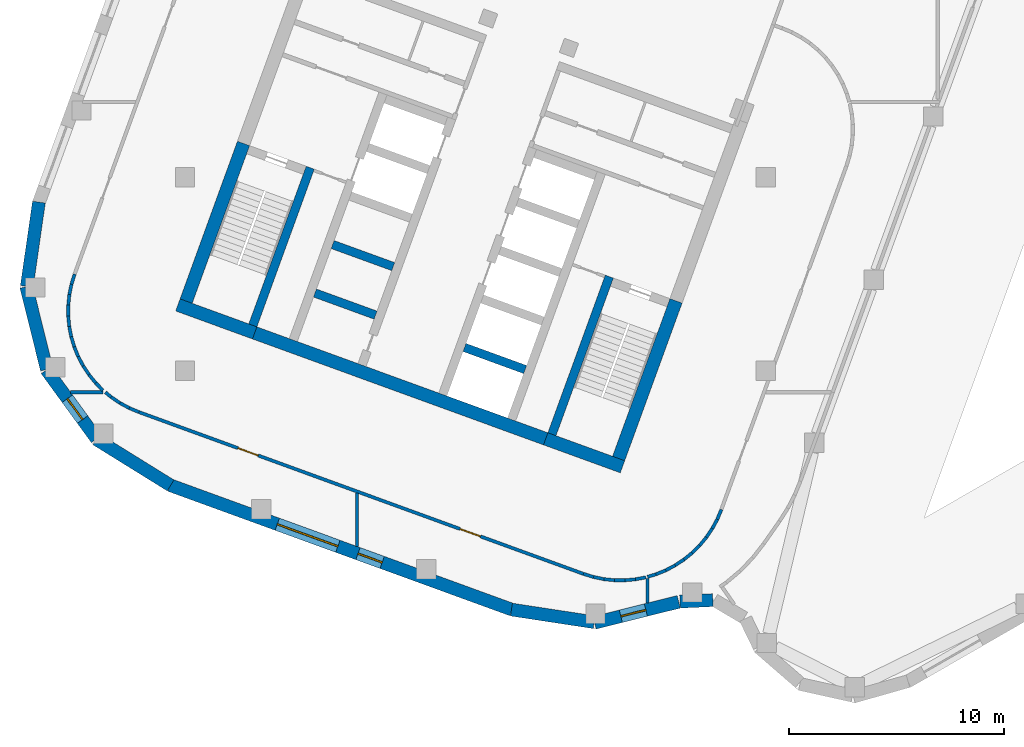
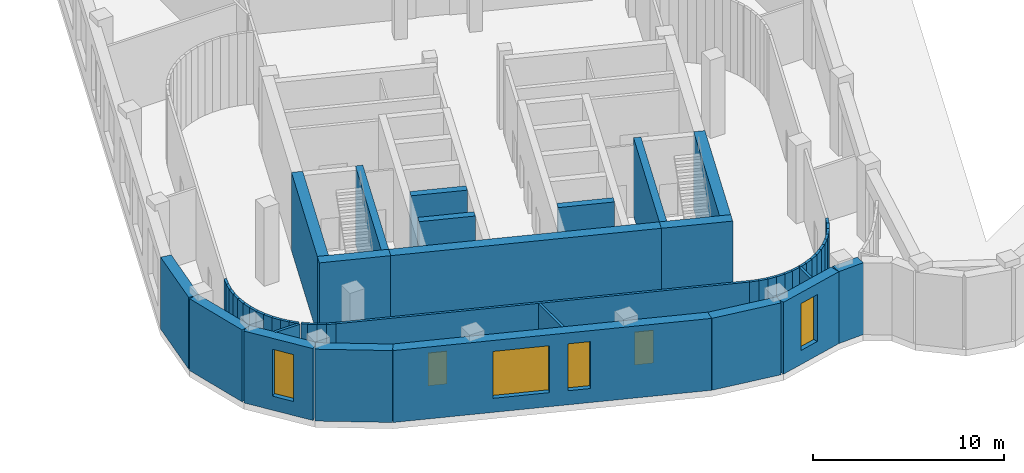
# One storey, part 3 of 20: 54 walls, 4 windows, 2 doors, 6 openings.
"""IFC4 building model written with IfcOpenShell, lengths in metres."""

import ifcopenshell
import ifcopenshell.guid

model = None  # the IFC model being written
_history = None  # IfcOwnerHistory: only IFC2X3 demands one
_inside = {}  # id of a spatial element -> (the spatial element, [elements in it])
_under = {}  # id of a project, library or spatial element -> (it, [spatial elements below it])
_declared = {}  # id of a project -> (the project, [libraries it declares])
_typed = {}  # id of a type object -> (the type object, [elements of that type])
_made_of = {}  # id of a material, layer set ... -> (it, [elements and type objects made of it])


def new_model(schema):
    """Start an empty IFC model of exactly this schema.

    Asked for "IFC4X3", IfcOpenShell would pick the latest addendum, in which some entities
    have other attributes; the version numbers below select the first issue.
    IFC2X3 requires an IfcOwnerHistory on every rooted entity: one is made here for all.
    """
    global model, _history
    if schema == "IFC4X3":
        model = ifcopenshell.file(schema_version=(4, 3, 0, 0))
    else:
        model = ifcopenshell.file(schema=schema)
    _inside.clear()
    _under.clear()
    _declared.clear()
    _typed.clear()
    _made_of.clear()
    _history = None
    if model.schema == "IFC2X3":
        org = make("IfcOrganization", Name="unknown")
        user = make(
            "IfcPersonAndOrganization",
            ThePerson=make("IfcPerson", FamilyName="unknown"),
            TheOrganization=org,
        )
        app = make(
            "IfcApplication",
            ApplicationDeveloper=org,
            Version="unknown",
            ApplicationFullName="unknown",
            ApplicationIdentifier="unknown",
        )
        _history = make(
            "IfcOwnerHistory",
            OwningUser=user,
            OwningApplication=app,
            ChangeAction="ADDED",
            CreationDate=0,
        )
    return model


def make(cls, **values):
    """One entity of the class cls with the attributes given. An attribute that is None is left unset."""
    return model.create_entity(
        cls, **{name: value for name, value in values.items() if value is not None}
    )


def rooted(cls, **values):
    """An entity with a GlobalId (a new one), such as an element, a storey or a relation."""
    return make(cls, GlobalId=ifcopenshell.guid.new(), OwnerHistory=_history, **values)


def si_unit(unit_type, name, prefix=None):
    """IfcSIUnit, for example si_unit("LENGTHUNIT", "METRE", prefix="MILLI")."""
    return make("IfcSIUnit", UnitType=unit_type, Prefix=prefix, Name=name)


def assignment(units):
    """IfcUnitAssignment: the units of a project."""
    return None if units is None else make("IfcUnitAssignment", Units=units)


def point(xyz):
    """IfcCartesianPoint."""
    return None if xyz is None else make("IfcCartesianPoint", Coordinates=xyz)


def direction(xyz):
    """IfcDirection."""
    return None if xyz is None else make("IfcDirection", DirectionRatios=xyz)


def frame(location, z_axis=None, x_axis=None):
    """IfcAxis2Placement3D, a coordinate frame: its origin and axes. An axis left out is left unset."""
    return make(
        "IfcAxis2Placement3D",
        Location=point(location),
        Axis=direction(z_axis),
        RefDirection=direction(x_axis),
    )


def frame_2d(location, x_axis=None):
    """IfcAxis2Placement2D, a coordinate frame in the plane: its origin and x axis."""
    return make(
        "IfcAxis2Placement2D", Location=point(location), RefDirection=direction(x_axis)
    )


def origin():
    """The frame at (0, 0, 0) with its axes left unset."""
    return frame((0.0, 0.0, 0.0))


def place(relative_to, where):
    """IfcLocalPlacement: puts the frame where relative to a parent placement (None: the world)."""
    return make(
        "IfcLocalPlacement", PlacementRelTo=relative_to, RelativePlacement=where
    )


def context(
    kind, dimensions, precision=None, world=None, true_north=None, identifier=None
):
    """IfcGeometricRepresentationContext, for example the 3D "Model" context."""
    return make(
        "IfcGeometricRepresentationContext",
        ContextIdentifier=identifier,
        ContextType=kind,
        CoordinateSpaceDimension=dimensions,
        Precision=precision,
        WorldCoordinateSystem=world,
        TrueNorth=true_north,
    )


def subcontext(parent, identifier, kind, view, scale=None):
    """IfcGeometricRepresentationSubContext, for example "Body" below "Model"."""
    return make(
        "IfcGeometricRepresentationSubContext",
        ContextIdentifier=identifier,
        ContextType=kind,
        ParentContext=parent,
        TargetScale=scale,
        TargetView=view,
    )


def project(units=None, contexts=None):
    """IfcProject with its units and contexts."""
    return rooted(
        "IfcProject",
        Name="project",
        RepresentationContexts=contexts,
        UnitsInContext=assignment(units),
    )


def spatial(cls, under=None, at=None, **own):
    """A site, building, storey or space (cls), placed at a placement, below another one or the project."""
    s = rooted(cls, ObjectPlacement=at, **own)
    if under is not None:
        _under.setdefault(under.id(), (under, []))[1].append(s)
    return s


def profile(cls, at=None, kind="AREA", **sizes):
    """A parametric profile (cls). Its sizes go by their IFC names, for example OverallWidth=200.0."""
    return make(cls, ProfileType=kind, Position=at, **sizes)


def rectangle(**sizes):
    """IfcRectangleProfileDef."""
    return profile("IfcRectangleProfileDef", **sizes)


def extrude(swept, where, along, depth):
    """IfcExtrudedAreaSolid: the profile swept, set in the frame where, extruded along a direction by depth."""
    return make(
        "IfcExtrudedAreaSolid",
        SweptArea=swept,
        Position=where,
        ExtrudedDirection=direction(along),
        Depth=depth,
    )


def shape(context_of_items, identifier, shape_type, items):
    """IfcShapeRepresentation: the items that make up one representation, for example the "Body"."""
    return make(
        "IfcShapeRepresentation",
        ContextOfItems=context_of_items,
        RepresentationIdentifier=identifier,
        RepresentationType=shape_type,
        Items=items,
    )


def material(Name=None, Category=None):
    """IfcMaterial."""
    return make("IfcMaterial", Name=Name, Category=Category)


def layer(
    of_material, thickness, ventilated=None, Name=None, Category=None, Priority=None
):
    """IfcMaterialLayer: one layer of a wall or slab, of a material (None: an air gap)."""
    return make(
        "IfcMaterialLayer",
        Material=of_material,
        LayerThickness=thickness,
        IsVentilated=ventilated,
        Name=Name,
        Category=Category,
        Priority=Priority,
    )


def layer_set(layers, Name=None):
    """IfcMaterialLayerSet."""
    return make("IfcMaterialLayerSet", MaterialLayers=layers, LayerSetName=Name)


def made_of(thing, what):
    """Note that an element or type object is made of a material, layer set ...; save() writes the relation."""
    if what is not None:
        _made_of.setdefault(what.id(), (what, []))[1].append(thing)
    return thing


def type_object(cls, material=None, **own):
    """A type object (cls), such as IfcWallType, which elements share."""
    return made_of(rooted(cls, **own), material)


def element(
    cls,
    number,
    at=None,
    inside=None,
    cuts=None,
    type_object=None,
    material=None,
    context=None,
    identifier="Body",
    shape_type=None,
    held_by="IfcProductDefinitionShape",
    body=None,
    shapes=None,
    **own,
):
    """One element of the class cls, such as IfcWall. Its Tag is "e" and its number.

    at: its placement. inside: the storey or other place that contains it. cuts: it is an
    opening in that element (IfcRelVoidsElement). A single representation is given by context,
    identifier, shape_type and body (its items); several are given by shapes. held_by: the class
    of the entity that holds the representations. save() writes the other relations.
    """
    e = rooted(cls, Tag="e%d" % number, ObjectPlacement=at, **own)
    if body is not None:
        shapes = [shape(context, identifier, shape_type, body)]
    if shapes is not None:
        e.Representation = make(held_by, Representations=shapes)
    if inside is not None:
        _inside.setdefault(inside.id(), (inside, []))[1].append(e)
    if cuts is not None:
        rooted(
            "IfcRelVoidsElement", RelatingBuildingElement=cuts, RelatedOpeningElement=e
        )
    if type_object is not None:
        _typed.setdefault(type_object.id(), (type_object, []))[1].append(e)
    return made_of(e, material)


def fill(opening, filler):
    """IfcRelFillsElement: the door or window that sits in an opening."""
    return rooted(
        "IfcRelFillsElement",
        RelatingOpeningElement=opening,
        RelatedBuildingElement=filler,
    )


def aggregate(whole, parts):
    """IfcRelAggregates: a whole, such as a stair, and the parts it consists of."""
    return rooted("IfcRelAggregates", RelatingObject=whole, RelatedObjects=parts)


def save(model, path):
    """Write the relations noted so far, then the file.

    IfcRelAggregates (storeys below a building ...), IfcRelContainedInSpatialStructure (elements
    in a storey), IfcRelDefinesByType, IfcRelAssociatesMaterial and IfcRelDeclares: one each for
    every whole, place, type object, material and project.
    """
    for whole, parts in _under.values():
        aggregate(whole, parts)
    for where, things in _inside.values():
        rooted(
            "IfcRelContainedInSpatialStructure",
            RelatedElements=things,
            RelatingStructure=where,
        )
    for kind, things in _typed.values():
        rooted("IfcRelDefinesByType", RelatedObjects=things, RelatingType=kind)
    for what, things in _made_of.values():
        rooted("IfcRelAssociatesMaterial", RelatedObjects=things, RelatingMaterial=what)
    for by, libraries in _declared.values():
        rooted("IfcRelDeclares", RelatingContext=by, RelatedDefinitions=libraries)
    model.write(path)


model = new_model("IFC4")

# Units and contexts
model_context = context("Model", 3, precision=1e-05, world=origin(), true_north=direction((0.0, 1.0)))
body_context = subcontext(model_context, "Body", "Model", "MODEL_VIEW")
ifc_project = project(units=[si_unit("LENGTHUNIT", "METRE"), si_unit("AREAUNIT", "SQUARE_METRE"), si_unit("VOLUMEUNIT", "CUBIC_METRE"), si_unit("PLANEANGLEUNIT", "RADIAN"), si_unit("MASSUNIT", "GRAM", prefix="KILO")], contexts=[model_context])

# Site, building, storey
site_placement = place(None, origin())
site = spatial("IfcSite", under=ifc_project, at=site_placement, CompositionType="ELEMENT")
building_placement = place(site_placement, origin())
building = spatial("IfcBuilding", under=site, at=building_placement, Name="Skarvind Civic Tower", CompositionType="ELEMENT")
storey_placement = place(building_placement, frame((0.0, 0.0, 17.5)))
storey = spatial("IfcBuildingStorey", under=building, at=storey_placement, Name="L03", CompositionType="ELEMENT", Elevation=17.5)

# Walls
ifc_material_1 = material(Name="Concrete C80", Category="concrete")
ifc_layer_1 = layer(ifc_material_1, 0.39990234375)
ifc_layer_set_1 = layer_set([ifc_layer_1], Name="Core wall 400 C80")
wall_type_1 = type_object("IfcWallType", Name="Core wall 400 C80", PredefinedType="SHEAR", material=ifc_layer_set_1)
for number, where, z_axis, x_axis, name in (
    (1, (36.057861328125, 79.04833984375, 0.0), (0.0, 0.0, 1.0), (0.342016982193, 0.939693771338, 0.0), "Core wall C2 south stair inner L03"),
    (2, (22.150390625, 84.110107421875, 0.0), (0.0, 0.0, 1.0), (0.342016982193, 0.939693771338, 0.0), "Core wall C2 north stair inner L03"),
):
    element("IfcWall", number, at=place(storey_placement, frame(where, z_axis=z_axis, x_axis=x_axis)), inside=storey, type_object=wall_type_1, Name=name, PredefinedType="SHEAR", context=body_context, shape_type="SweptSolid", body=[
        extrude(rectangle(XDim=7.800048828125, YDim=0.39990234375, at=frame_2d((3.89990234375, 0.0))), origin(), (0.0, 0.0, 1.0), 5.0),
    ])
for number, where, z_axis, x_axis, name in (
    (3, (34.8115234375, 82.055908203125, 0.0), (0.0, 0.0, 1.0), (-0.939686455819, 0.342037080957, 0.0), "Core wall C2 south lift row division 1 L03"),
    (4, (27.857666015625, 84.5869140625, 0.0), (0.0, 0.0, 1.0), (-0.939686455819, 0.342037080957, 0.0), "Core wall C2 north lift row division 1 L03"),
):
    element("IfcWall", number, at=place(storey_placement, frame(where, z_axis=z_axis, x_axis=x_axis)), inside=storey, type_object=wall_type_1, Name=name, PredefinedType="SHEAR", context=body_context, shape_type="SweptSolid", body=[
        extrude(rectangle(XDim=3.0, YDim=0.39990234375, at=frame_2d((1.5, 0.0))), origin(), (0.0, 0.0, 1.0), 5.0),
    ])
wall_1_placement = place(storey_placement, frame((28.678466796875, 86.842041015625, 0.0), z_axis=(0.0, 0.0, 1.0), x_axis=(-0.939676934218, 0.342063238742, 0.0)))
element("IfcWall", 5, at=wall_1_placement, inside=storey, type_object=wall_type_1, Name="Core wall C2 north lift row division 2 L03", PredefinedType="SHEAR", context=body_context, shape_type="SweptSolid", body=[
    extrude(rectangle(XDim=2.999755859375, YDim=0.39990234375, at=frame_2d((1.5, 0.0))), origin(), (0.0, 0.0, 1.0), 5.0),
])
ifc_layer_2 = layer(ifc_material_1, 0.60009765625)
ifc_layer_set_2 = layer_set([ifc_layer_2], Name="Core wall 600 C80")
wall_type_2 = type_object("IfcWallType", Name="Core wall 600 C80", PredefinedType="SHEAR", material=ifc_layer_set_2)
wall_2_placement = place(storey_placement, frame((39.338134765625, 77.53515625, 0.0), z_axis=(0.0, 0.0, 1.0), x_axis=(-0.939701471648, 0.341995824804, 0.0)))
element("IfcWall", 6, at=wall_2_placement, inside=storey, type_object=wall_type_2, Name="Core wall C2 tip at the south stair L03", PredefinedType="SHEAR", context=body_context, shape_type="SweptSolid", body=[
    extrude(rectangle(XDim=3.800048828125, YDim=0.60009765625, at=frame_2d((1.89990234375, 0.0))), origin(), (0.0, 0.0, 1.0), 5.0),
])
wall_3_placement = place(storey_placement, frame((35.767333984375, 78.834716796875, 0.0), z_axis=(0.0, 0.0, 1.0), x_axis=(-0.939692894512, 0.342019391267, 0.0)))
element("IfcWall", 7, at=wall_3_placement, inside=storey, type_object=wall_type_2, Name="Core wall C2 tip between the stairs L03", PredefinedType="SHEAR", context=body_context, shape_type="SweptSolid", body=[
    extrude(rectangle(XDim=14.39990234375, YDim=0.60009765625, at=frame_2d((7.199951171875, 0.0))), origin(), (0.0, 0.0, 1.0), 5.0),
])
wall_4_placement = place(storey_placement, frame((22.23583984375, 83.759765625, 0.0), z_axis=(0.0, 0.0, 1.0), x_axis=(-0.939680822529, 0.342052557032, 0.0)))
element("IfcWall", 8, at=wall_4_placement, inside=storey, type_object=wall_type_2, Name="Core wall C2 tip at the north stair L03", PredefinedType="SHEAR", context=body_context, shape_type="SweptSolid", body=[
    extrude(rectangle(XDim=3.800048828125, YDim=0.60009765625, at=frame_2d((1.89990234375, 0.0))), origin(), (0.0, 0.0, 1.0), 5.0),
])
for number, where, z_axis, x_axis, name in (
    (9, (39.158935546875, 77.919677734375, 0.0), (0.0, 0.0, 1.0), (0.342016982193, 0.939693771338, 0.0), "Core wall C2 south side at the stair L03"),
    (10, (19.049560546875, 85.23876953125, 0.0), (0.0, 0.0, 1.0), (0.342016982193, 0.939693771338, 0.0), "Core wall C2 north side at the stair L03"),
):
    element("IfcWall", number, at=place(storey_placement, frame(where, z_axis=z_axis, x_axis=x_axis)), inside=storey, type_object=wall_type_2, Name=name, PredefinedType="SHEAR", context=body_context, shape_type="SweptSolid", body=[
        extrude(rectangle(XDim=7.800048828125, YDim=0.60009765625, at=frame_2d((3.89990234375, 0.0))), origin(), (0.0, 0.0, 1.0), 5.0),
    ])
ifc_material_2 = material(Name="Plasterboard partition on steel studs", Category="steel")
ifc_layer_3 = layer(ifc_material_2, 0.14990234375)
ifc_layer_set_3 = layer_set([ifc_layer_3], Name="PARTITION 150")
wall_type_3 = type_object("IfcWallType", Name="PARTITION 150", PredefinedType="PARTITIONING", material=ifc_layer_set_3)
wall_5_placement = place(storey_placement, frame((13.56689453125, 84.554931640625, 0.0), z_axis=(0.0, 0.0, 1.0), x_axis=(0.006359949647, 0.999979775316, 0.0)))
element("IfcWall", 11, at=wall_5_placement, inside=storey, type_object=wall_type_3, Name="Podium partition L03 001", PredefinedType="PARTITIONING", context=body_context, shape_type="SweptSolid", body=[
    extrude(rectangle(XDim=0.4990234375, YDim=0.14990234375, at=frame_2d((0.24951171875, 0.0))), origin(), (0.0, 0.0, 1.0), 4.60009765625),
])
wall_6_placement = place(storey_placement, frame((13.56689453125, 84.56298828125, 0.0), z_axis=(0.0, 0.0, 1.0), x_axis=(0.092612071084, -0.99570226689, 0.0)))
element("IfcWall", 12, at=wall_6_placement, inside=storey, type_object=wall_type_3, Name="Podium partition L03 002", PredefinedType="PARTITIONING", context=body_context, shape_type="SweptSolid", body=[
    extrude(rectangle(XDim=0.498291015625, YDim=0.14990234375, at=frame_2d((0.2490234375, 0.0))), origin(), (0.0, 0.0, 1.0), 4.60009765625),
])
wall_7_placement = place(storey_placement, frame((13.570068359375, 85.0458984375, 0.0), z_axis=(0.0, 0.0, 1.0), x_axis=(0.102314560958, 0.994752095055, 0.0)))
element("IfcWall", 13, at=wall_7_placement, inside=storey, type_object=wall_type_3, Name="Podium partition L03 003", PredefinedType="PARTITIONING", context=body_context, shape_type="SweptSolid", body=[
    extrude(rectangle(XDim=0.498779296875, YDim=0.14990234375, at=frame_2d((0.24951171875, 0.0))), origin(), (0.0, 0.0, 1.0), 4.60009765625),
])
for number, where, z_axis, x_axis, name in (
    (14, (13.612060546875, 84.074951171875, 0.0), (0.0, 0.0, 1.0), (0.190280459207, -0.981729772821, 0.0), "Podium partition L03 004"),
    (15, (13.6201171875, 85.533935546875, 0.0), (0.0, 0.0, 1.0), (0.200065431035, 0.979782538783, 0.0), "Podium partition L03 005"),
):
    element("IfcWall", number, at=place(storey_placement, frame(where, z_axis=z_axis, x_axis=x_axis)), inside=storey, type_object=wall_type_3, Name=name, PredefinedType="PARTITIONING", context=body_context, shape_type="SweptSolid", body=[
        extrude(rectangle(XDim=0.4990234375, YDim=0.14990234375, at=frame_2d((0.24951171875, 0.0))), origin(), (0.0, 0.0, 1.0), 4.60009765625),
    ])
wall_8_placement = place(storey_placement, frame((13.680908203125, 81.0, 0.0), z_axis=(0.0, 0.0, 1.0), x_axis=(1.0, 0.0, 0.0)))
element("IfcWall", 16, at=wall_8_placement, inside=storey, type_object=wall_type_3, Name="Podium partition L03 006", PredefinedType="PARTITIONING", context=body_context, shape_type="SweptSolid", body=[
    extrude(rectangle(XDim=1.4951171875, YDim=0.14990234375, at=frame_2d((0.74755859375, 0.0))), origin(), (0.0, 0.0, 1.0), 4.60009765625),
])
wall_9_placement = place(storey_placement, frame((13.705078125, 83.593017578125, 0.0), z_axis=(0.0, 0.0, 1.0), x_axis=(0.285006811854, -0.958525491157, 0.0)))
element("IfcWall", 17, at=wall_9_placement, inside=storey, type_object=wall_type_3, Name="Podium partition L03 007", PredefinedType="PARTITIONING", context=body_context, shape_type="SweptSolid", body=[
    extrude(rectangle(XDim=0.497802734375, YDim=0.14990234375, at=frame_2d((0.2490234375, 0.0))), origin(), (0.0, 0.0, 1.0), 4.60009765625),
])
wall_10_placement = place(storey_placement, frame((13.718017578125, 86.014892578125, 0.0), z_axis=(0.0, 0.0, 1.0), x_axis=(0.29553439104, 0.955332101268, 0.0)))
element("IfcWall", 18, at=wall_10_placement, inside=storey, type_object=wall_type_3, Name="Podium partition L03 008", PredefinedType="PARTITIONING", context=body_context, shape_type="SweptSolid", body=[
    extrude(rectangle(XDim=0.497314453125, YDim=0.14990234375, at=frame_2d((0.24853515625, 0.0))), origin(), (0.0, 0.0, 1.0), 4.60009765625),
])
wall_11_placement = place(storey_placement, frame((13.844970703125, 83.1220703125, 0.0), z_axis=(0.0, 0.0, 1.0), x_axis=(0.37578481902, -0.926706949253, 0.0)))
element("IfcWall", 19, at=wall_11_placement, inside=storey, type_object=wall_type_3, Name="Podium partition L03 009", PredefinedType="PARTITIONING", context=body_context, shape_type="SweptSolid", body=[
    extrude(rectangle(XDim=0.49755859375, YDim=0.14990234375, at=frame_2d((0.248779296875, 0.0))), origin(), (0.0, 0.0, 1.0), 4.60009765625),
])
wall_12_placement = place(storey_placement, frame((14.029052734375, 82.6669921875, 0.0), z_axis=(0.0, 0.0, 1.0), x_axis=(0.468700159313, -0.883357323318, 0.0)))
element("IfcWall", 20, at=wall_12_placement, inside=storey, type_object=wall_type_3, Name="Podium partition L03 011", PredefinedType="PARTITIONING", context=body_context, shape_type="SweptSolid", body=[
    extrude(rectangle(XDim=0.496826171875, YDim=0.14990234375, at=frame_2d((0.24853515625, 0.0))), origin(), (0.0, 0.0, 1.0), 4.60009765625),
])
for number, where, z_axis, x_axis, name in (
    (21, (14.258056640625, 82.23388671875, 0.0), (0.0, 0.0, 1.0), (0.550165738333, -0.835055483405, 0.0), "Podium partition L03 013"),
    (22, (14.528076171875, 81.823974609375, 0.0), (0.0, 0.0, 1.0), (0.628873610356, -0.777507544785, 0.0), "Podium partition L03 014"),
):
    element("IfcWall", number, at=place(storey_placement, frame(where, z_axis=z_axis, x_axis=x_axis)), inside=storey, type_object=wall_type_3, Name=name, PredefinedType="PARTITIONING", context=body_context, shape_type="SweptSolid", body=[
        extrude(rectangle(XDim=0.497802734375, YDim=0.14990234375, at=frame_2d((0.2490234375, 0.0))), origin(), (0.0, 0.0, 1.0), 4.60009765625),
    ])
wall_13_placement = place(storey_placement, frame((14.8359375, 81.443115234375, 0.0), z_axis=(0.0, 0.0, 1.0), x_axis=(0.702939506556, -0.711249639805, 0.0)))
element("IfcWall", 23, at=wall_13_placement, inside=storey, type_object=wall_type_3, Name="Podium partition L03 015", PredefinedType="PARTITIONING", context=body_context, shape_type="SweptSolid", body=[
    extrude(rectangle(XDim=0.49951171875, YDim=0.14990234375, at=frame_2d((0.249755859375, 0.0))), origin(), (0.0, 0.0, 1.0), 4.60009765625),
])
wall_14_placement = place(storey_placement, frame((15.2939453125, 81.0, 0.0), z_axis=(0.0, 0.0, 1.0), x_axis=(0.770605931108, -0.637311932213, 0.0)))
element("IfcWall", 24, at=wall_14_placement, inside=storey, type_object=wall_type_3, Name="Podium partition L03 017", PredefinedType="PARTITIONING", context=body_context, shape_type="SweptSolid", body=[
    extrude(rectangle(XDim=0.3515625, YDim=0.14990234375, at=frame_2d((0.17578125, 0.0))), origin(), (0.0, 0.0, 1.0), 4.60009765625),
])
wall_15_placement = place(storey_placement, frame((15.55908203125, 80.780029296875, 0.0), z_axis=(0.0, 0.0, 1.0), x_axis=(0.828490672822, -0.560002861641, 0.0)))
element("IfcWall", 25, at=wall_15_placement, inside=storey, type_object=wall_type_3, Name="Podium partition L03 018", PredefinedType="PARTITIONING", context=body_context, shape_type="SweptSolid", body=[
    extrude(rectangle(XDim=0.498291015625, YDim=0.14990234375, at=frame_2d((0.2490234375, 0.0))), origin(), (0.0, 0.0, 1.0), 4.60009765625),
])
wall_16_placement = place(storey_placement, frame((15.966064453125, 80.5048828125, 0.0), z_axis=(0.0, 0.0, 1.0), x_axis=(0.878382708813, -0.477957965577, 0.0)))
element("IfcWall", 26, at=wall_16_placement, inside=storey, type_object=wall_type_3, Name="Podium partition L03 019", PredefinedType="PARTITIONING", context=body_context, shape_type="SweptSolid", body=[
    extrude(rectangle(XDim=0.49755859375, YDim=0.14990234375, at=frame_2d((0.248779296875, 0.0))), origin(), (0.0, 0.0, 1.0), 4.60009765625),
])
wall_17_placement = place(storey_placement, frame((16.39697265625, 80.27001953125, 0.0), z_axis=(0.0, 0.0, 1.0), x_axis=(0.921848433773, -0.387550596891, 0.0)))
element("IfcWall", 27, at=wall_17_placement, inside=storey, type_object=wall_type_3, Name="Podium partition L03 020", PredefinedType="PARTITIONING", context=body_context, shape_type="SweptSolid", body=[
    extrude(rectangle(XDim=0.495849609375, YDim=0.14990234375, at=frame_2d((0.248046875, 0.0))), origin(), (0.0, 0.0, 1.0), 4.60009765625),
])

# Wall, openings, doors
wall_18_placement = place(storey_placement, frame((37.528076171875, 72.553955078125, 0.0), z_axis=(0.0, 0.0, 1.0), x_axis=(-0.939693287343, 0.34201831197, 0.0)))
wall_18 = element("IfcWall", 28, at=wall_18_placement, inside=storey, type_object=wall_type_3, Name="Podium partition L03 021", PredefinedType="PARTITIONING", context=body_context, shape_type="SweptSolid", body=[
    extrude(rectangle(XDim=22.005126953125, YDim=0.14990234375, at=frame_2d((11.00244140625, 0.0))), origin(), (0.0, 0.0, 1.0), 4.60009765625),
])
opening_1_placement = place(wall_18_placement, frame((16.10107421875, 0.0, 0.0)))
opening_1 = element("IfcOpeningElement", 29, at=opening_1_placement, cuts=wall_18, Name="Opening L03-D203", PredefinedType="OPENING", context=body_context, shape_type="SweptSolid", body=[
    extrude(rectangle(XDim=1.0, YDim=2.10009765625, at=frame_2d((0.5, 1.050048828125))), frame((0.0, 0.0849609375, 0.0), z_axis=(0.0, -1.0, 0.0), x_axis=(1.0, 0.0, 0.0)), (0.0, 0.0, 1.0), 0.169921875),
])
opening_2_placement = place(wall_18_placement, frame((5.10498046875, 0.0, 0.0)))
opening_2 = element("IfcOpeningElement", 30, at=opening_2_placement, cuts=wall_18, Name="Opening L03-D205", PredefinedType="OPENING", context=body_context, shape_type="SweptSolid", body=[
    extrude(rectangle(XDim=1.0, YDim=2.10009765625, at=frame_2d((0.5, 1.050048828125))), frame((0.0, 0.0849609375, 0.0), z_axis=(0.0, -1.0, 0.0), x_axis=(1.0, 0.0, 0.0)), (0.0, 0.0, 1.0), 0.169921875),
])
ifc_material_3 = material(Name="Timber veneer door leaf", Category="wood")
door_type = type_object("IfcDoorType", Name="DOOR 1000X2100 TIMBER", OperationType="NOTDEFINED", PredefinedType="DOOR", material=ifc_material_3)
door_1_placement = place(opening_1_placement, origin())
door_1 = element("IfcDoor", 31, at=door_1_placement, inside=storey, type_object=door_type, Name="DOOR DOOR", OperationType="SINGLE_SWING_LEFT", OverallHeight=2.10009765625, OverallWidth=1.0, PredefinedType="DOOR", context=body_context, shape_type="SweptSolid", body=[
    extrude(rectangle(XDim=1.0, YDim=2.10009765625, at=frame_2d((0.5, 1.050048828125))), frame((0.0, 0.02490234375, 0.0), z_axis=(0.0, -1.0, 0.0), x_axis=(1.0, 0.0, 0.0)), (0.0, 0.0, 1.0), 0.050048828125),
])
fill(opening_1, door_1)
door_2_placement = place(opening_2_placement, origin())
door_2 = element("IfcDoor", 32, at=door_2_placement, inside=storey, type_object=door_type, Name="DOOR DOOR", OperationType="SINGLE_SWING_RIGHT", OverallHeight=2.10009765625, OverallWidth=1.0, PredefinedType="DOOR", context=body_context, shape_type="SweptSolid", body=[
    extrude(rectangle(XDim=1.0, YDim=2.10009765625, at=frame_2d((0.5, 1.050048828125))), frame((0.0, 0.02490234375, 0.0), z_axis=(0.0, -1.0, 0.0), x_axis=(1.0, 0.0, 0.0)), (0.0, 0.0, 1.0), 0.050048828125),
])
fill(opening_2, door_2)

# Walls
wall_19_placement = place(storey_placement, frame((27.0, 73.83203125, 0.0), z_axis=(0.0, 0.0, 1.0), x_axis=(0.0, 1.0, 0.0)))
element("IfcWall", 33, at=wall_19_placement, inside=storey, type_object=wall_type_3, Name="Podium partition L03 045", PredefinedType="PARTITIONING", context=body_context, shape_type="SweptSolid", body=[
    extrude(rectangle(XDim=2.473876953125, YDim=0.14990234375, at=frame_2d((1.23681640625, 0.0))), origin(), (0.0, 0.0, 1.0), 4.60009765625),
])
wall_20_placement = place(storey_placement, frame((37.52392578125, 72.555908203125, 0.0), z_axis=(0.0, 0.0, 1.0), x_axis=(0.954987142797, -0.296647192964, 0.0)))
element("IfcWall", 34, at=wall_20_placement, inside=storey, type_object=wall_type_3, Name="Podium partition L03 057", PredefinedType="PARTITIONING", context=body_context, shape_type="SweptSolid", body=[
    extrude(rectangle(XDim=0.495361328125, YDim=0.14990234375, at=frame_2d((0.24755859375, 0.0))), origin(), (0.0, 0.0, 1.0), 4.60009765625),
])
wall_21_placement = place(storey_placement, frame((37.989990234375, 72.410888671875, 0.0), z_axis=(0.0, 0.0, 1.0), x_axis=(0.979397350706, -0.201942638962, 0.0)))
element("IfcWall", 35, at=wall_21_placement, inside=storey, type_object=wall_type_3, Name="Podium partition L03 058", PredefinedType="PARTITIONING", context=body_context, shape_type="SweptSolid", body=[
    extrude(rectangle(XDim=0.499267578125, YDim=0.14990234375, at=frame_2d((0.24951171875, 0.0))), origin(), (0.0, 0.0, 1.0), 4.60009765625),
])
wall_22_placement = place(storey_placement, frame((38.470947265625, 72.31103515625, 0.0), z_axis=(0.0, 0.0, 1.0), x_axis=(0.994949544905, -0.100376307434, 0.0)))
element("IfcWall", 36, at=wall_22_placement, inside=storey, type_object=wall_type_3, Name="Podium partition L03 059", PredefinedType="PARTITIONING", context=body_context, shape_type="SweptSolid", body=[
    extrude(rectangle(XDim=0.49853515625, YDim=0.14990234375, at=frame_2d((0.249267578125, 0.0))), origin(), (0.0, 0.0, 1.0), 4.60009765625),
])
wall_23_placement = place(storey_placement, frame((38.958984375, 72.260986328125, 0.0), z_axis=(0.0, 0.0, 1.0), x_axis=(0.999982767056, -0.005870740315, 0.0)))
element("IfcWall", 37, at=wall_23_placement, inside=storey, type_object=wall_type_3, Name="Podium partition L03 060", PredefinedType="PARTITIONING", context=body_context, shape_type="SweptSolid", body=[
    extrude(rectangle(XDim=0.4990234375, YDim=0.14990234375, at=frame_2d((0.24951171875, 0.0))), origin(), (0.0, 0.0, 1.0), 4.60009765625),
])
wall_24_placement = place(storey_placement, frame((39.449951171875, 72.258056640625, 0.0), z_axis=(0.0, 0.0, 1.0), x_axis=(0.995925282781, 0.090182210646, 0.0)))
element("IfcWall", 38, at=wall_24_placement, inside=storey, type_object=wall_type_3, Name="Podium partition L03 061", PredefinedType="PARTITIONING", context=body_context, shape_type="SweptSolid", body=[
    extrude(rectangle(XDim=0.498046875, YDim=0.14990234375, at=frame_2d((0.2490234375, 0.0))), origin(), (0.0, 0.0, 1.0), 4.60009765625),
])
wall_25_placement = place(storey_placement, frame((39.93798828125, 72.302001953125, 0.0), z_axis=(0.0, 0.0, 1.0), x_axis=(0.981729772821, 0.190280459207, 0.0)))
element("IfcWall", 39, at=wall_25_placement, inside=storey, type_object=wall_type_3, Name="Podium partition L03 062", PredefinedType="PARTITIONING", context=body_context, shape_type="SweptSolid", body=[
    extrude(rectangle(XDim=0.4990234375, YDim=0.14990234375, at=frame_2d((0.24951171875, 0.0))), origin(), (0.0, 0.0, 1.0), 4.60009765625),
])
wall_26_placement = place(storey_placement, frame((40.5, 71.202880859375, 0.0), z_axis=(0.0, 0.0, 1.0), x_axis=(0.0, 1.0, 0.0)))
element("IfcWall", 40, at=wall_26_placement, inside=storey, type_object=wall_type_3, Name="Podium partition L03 066", PredefinedType="PARTITIONING", context=body_context, shape_type="SweptSolid", body=[
    extrude(rectangle(XDim=1.13818359375, YDim=0.14990234375, at=frame_2d((0.569091796875, 0.0))), origin(), (0.0, 0.0, 1.0), 4.60009765625),
])
wall_27_placement = place(storey_placement, frame((40.5, 72.4189453125, 0.0), z_axis=(0.0, 0.0, 1.0), x_axis=(0.958631822216, 0.284648958253, 0.0)))
element("IfcWall", 41, at=wall_27_placement, inside=storey, type_object=wall_type_3, Name="Podium partition L03 067", PredefinedType="PARTITIONING", context=body_context, shape_type="SweptSolid", body=[
    extrude(rectangle(XDim=0.4150390625, YDim=0.14990234375, at=frame_2d((0.20751953125, 0.0))), origin(), (0.0, 0.0, 1.0), 4.60009765625),
])
for number, where, z_axis, x_axis, name in (
    (42, (40.89111328125, 72.534912109375, 0.0), (0.0, 0.0, 1.0), (0.925952664904, 0.377639593208, 0.0), "Podium partition L03 068"),
    (43, (41.345947265625, 72.719970703125, 0.0), (0.0, 0.0, 1.0), (0.883787916347, 0.467887720419, 0.0), "Podium partition L03 069"),
):
    element("IfcWall", number, at=place(storey_placement, frame(where, z_axis=z_axis, x_axis=x_axis)), inside=storey, type_object=wall_type_3, Name=name, PredefinedType="PARTITIONING", context=body_context, shape_type="SweptSolid", body=[
        extrude(rectangle(XDim=0.497802734375, YDim=0.14990234375, at=frame_2d((0.2490234375, 0.0))), origin(), (0.0, 0.0, 1.0), 4.60009765625),
    ])
wall_28_placement = place(storey_placement, frame((41.780029296875, 72.948974609375, 0.0), z_axis=(0.0, 0.0, 1.0), x_axis=(0.834609406562, 0.550842208331, 0.0)))
element("IfcWall", 44, at=wall_28_placement, inside=storey, type_object=wall_type_3, Name="Podium partition L03 070", PredefinedType="PARTITIONING", context=body_context, shape_type="SweptSolid", body=[
    extrude(rectangle(XDim=0.497314453125, YDim=0.14990234375, at=frame_2d((0.24853515625, 0.0))), origin(), (0.0, 0.0, 1.0), 4.60009765625),
])
wall_29_placement = place(storey_placement, frame((42.18896484375, 73.218994140625, 0.0), z_axis=(0.0, 0.0, 1.0), x_axis=(0.777507544785, 0.628873610356, 0.0)))
element("IfcWall", 45, at=wall_29_placement, inside=storey, type_object=wall_type_3, Name="Podium partition L03 071", PredefinedType="PARTITIONING", context=body_context, shape_type="SweptSolid", body=[
    extrude(rectangle(XDim=0.497802734375, YDim=0.14990234375, at=frame_2d((0.2490234375, 0.0))), origin(), (0.0, 0.0, 1.0), 4.60009765625),
])
wall_30_placement = place(storey_placement, frame((42.570068359375, 73.527099609375, 0.0), z_axis=(0.0, 0.0, 1.0), x_axis=(0.711252497293, 0.702936615275, 0.0)))
element("IfcWall", 46, at=wall_30_placement, inside=storey, type_object=wall_type_3, Name="Podium partition L03 072", PredefinedType="PARTITIONING", context=body_context, shape_type="SweptSolid", body=[
    extrude(rectangle(XDim=0.4990234375, YDim=0.14990234375, at=frame_2d((0.24951171875, 0.0))), origin(), (0.0, 0.0, 1.0), 4.60009765625),
])
wall_31_placement = place(storey_placement, frame((42.919921875, 73.8720703125, 0.0), z_axis=(0.0, 0.0, 1.0), x_axis=(0.636754760492, 0.771066388186, 0.0)))
element("IfcWall", 47, at=wall_31_placement, inside=storey, type_object=wall_type_3, Name="Podium partition L03 074", PredefinedType="PARTITIONING", context=body_context, shape_type="SweptSolid", body=[
    extrude(rectangle(XDim=0.498046875, YDim=0.14990234375, at=frame_2d((0.2490234375, 0.0))), origin(), (0.0, 0.0, 1.0), 4.60009765625),
])
wall_32_placement = place(storey_placement, frame((43.23291015625, 74.25, 0.0), z_axis=(0.0, 0.0, 1.0), x_axis=(0.560685437924, 0.828028888203, 0.0)))
element("IfcWall", 48, at=wall_32_placement, inside=storey, type_object=wall_type_3, Name="Podium partition L03 075", PredefinedType="PARTITIONING", context=body_context, shape_type="SweptSolid", body=[
    extrude(rectangle(XDim=0.497802734375, YDim=0.14990234375, at=frame_2d((0.2490234375, 0.0))), origin(), (0.0, 0.0, 1.0), 4.60009765625),
])
wall_33_placement = place(storey_placement, frame((43.508056640625, 74.656005859375, 0.0), z_axis=(0.0, 0.0, 1.0), x_axis=(0.47751332042, 0.878624509573, 0.0)))
element("IfcWall", 49, at=wall_33_placement, inside=storey, type_object=wall_type_3, Name="Podium partition L03 076", PredefinedType="PARTITIONING", context=body_context, shape_type="SweptSolid", body=[
    extrude(rectangle(XDim=0.49853515625, YDim=0.14990234375, at=frame_2d((0.249267578125, 0.0))), origin(), (0.0, 0.0, 1.0), 4.60009765625),
])
wall_34_placement = place(storey_placement, frame((43.742919921875, 75.087890625, 0.0), z_axis=(0.0, 0.0, 1.0), x_axis=(0.387550596891, 0.921848433773, 0.0)))
element("IfcWall", 50, at=wall_34_placement, inside=storey, type_object=wall_type_3, Name="Podium partition L03 077", PredefinedType="PARTITIONING", context=body_context, shape_type="SweptSolid", body=[
    extrude(rectangle(XDim=0.495849609375, YDim=0.14990234375, at=frame_2d((0.248046875, 0.0))), origin(), (0.0, 0.0, 1.0), 4.60009765625),
])
ifc_material_4 = material(Name="Limestone masonry cladding on insulated backing", Category="masonry")
ifc_layer_4 = layer(ifc_material_4, 0.60009765625)
ifc_layer_set_4 = layer_set([ifc_layer_4], Name="WX1 STONE FACADE WALL 600")
wall_type_4 = type_object("IfcWallType", Name="WX1 STONE FACADE WALL 600", PredefinedType="SOLIDWALL", material=ifc_layer_set_4)
wall_35_placement = place(storey_placement, frame((11.640869140625, 85.919677734375, 0.0), z_axis=(0.0, 0.0, 1.0), x_axis=(0.142240980655, 0.989832058191, 0.0)))
element("IfcWall", 51, at=wall_35_placement, inside=storey, type_object=wall_type_4, Name="STONE FACADE WALL", PredefinedType="SOLIDWALL", context=body_context, shape_type="SweptSolid", body=[
    extrude(rectangle(XDim=3.96142578125, YDim=0.60009765625, at=frame_2d((1.980712890625, 0.0))), origin(), (0.0, 0.0, 1.0), 4.60009765625),
])
wall_36_placement = place(storey_placement, frame((12.571044921875, 82.06103515625, 0.0), z_axis=(0.0, 0.0, 1.0), x_axis=(-0.240896747667, 0.970550749298, 0.0)))
element("IfcWall", 52, at=wall_36_placement, inside=storey, type_object=wall_type_4, Name="STONE FACADE WALL", PredefinedType="SOLIDWALL", context=body_context, shape_type="SweptSolid", body=[
    extrude(rectangle(XDim=3.961669921875, YDim=0.60009765625, at=frame_2d((1.98095703125, 0.0))), origin(), (0.0, 0.0, 1.0), 4.60009765625),
])

# Wall, opening, window
wall_37_placement = place(storey_placement, frame((14.885498046875, 78.836669921875, 0.0), z_axis=(0.0, 0.0, 1.0), x_axis=(-0.588600339707, 0.808424170901, 0.0)))
wall_37 = element("IfcWall", 53, at=wall_37_placement, inside=storey, type_object=wall_type_4, Name="STONE FACADE WALL", PredefinedType="SOLIDWALL", context=body_context, shape_type="SweptSolid", body=[
    extrude(rectangle(XDim=3.961669921875, YDim=0.60009765625, at=frame_2d((1.98095703125, 0.0))), origin(), (0.0, 0.0, 1.0), 4.60009765625),
])
opening_3_placement = place(wall_37_placement, frame((1.10791015625, 0.0, 0.89990234375)))
opening_3 = element("IfcOpeningElement", 54, at=opening_3_placement, cuts=wall_37, Name="Opening WN6", PredefinedType="OPENING", context=body_context, shape_type="SweptSolid", body=[
    extrude(rectangle(XDim=1.199951171875, YDim=3.0, at=frame_2d((0.60009765625, 1.5))), frame((0.0, 0.31005859375, 0.0), z_axis=(0.0, -1.0, 0.0), x_axis=(1.0, 0.0, 0.0)), (0.0, 0.0, 1.0), 0.6201171875),
])
ifc_material_5 = material(Name="Timber frame, double glazing, timber-lined reveal", Category="wood")
window_type_1 = type_object("IfcWindowType", Name="WN6 NARROW PODIUM WINDOW 1200 x 3000", PartitioningType="SINGLE_PANEL", PredefinedType="WINDOW", material=ifc_material_5)
window_1_placement = place(opening_3_placement, origin())
window_1 = element("IfcWindow", 55, at=window_1_placement, inside=storey, type_object=window_type_1, Name="WN6 WINDOW", OverallHeight=3.0, OverallWidth=1.199951171875, PartitioningType="SINGLE_PANEL", PredefinedType="WINDOW", context=body_context, shape_type="SweptSolid", body=[
    extrude(rectangle(XDim=1.199951171875, YDim=3.0, at=frame_2d((0.60009765625, 1.5))), frame((0.0, 0.030029296875, 0.0), z_axis=(0.0, -1.0, 0.0), x_axis=(1.0, 0.0, 0.0)), (0.0, 0.0, 1.0), 0.06005859375),
])
fill(opening_3, window_1)

# Wall
wall_38_placement = place(storey_placement, frame((18.32861328125, 76.668212890625, 0.0), z_axis=(0.0, 0.0, 1.0), x_axis=(-0.849679171995, 0.527300013918, 0.0)))
element("IfcWall", 56, at=wall_38_placement, inside=storey, type_object=wall_type_4, Name="STONE FACADE WALL", PredefinedType="SOLIDWALL", context=body_context, shape_type="SweptSolid", body=[
    extrude(rectangle(XDim=4.0615234375, YDim=0.60009765625, at=frame_2d((2.03076171875, 0.0))), origin(), (0.0, 0.0, 1.0), 4.60009765625),
])

# Wall, openings, windows
wall_39_placement = place(storey_placement, frame((34.2041015625, 70.890380859375, 0.0), z_axis=(0.0, 0.0, 1.0), x_axis=(-0.939693996621, 0.342016363227, 0.0)))
wall_39 = element("IfcWall", 57, at=wall_39_placement, inside=storey, type_object=wall_type_4, Name="STONE FACADE WALL", PredefinedType="SOLIDWALL", context=body_context, shape_type="SweptSolid", body=[
    extrude(rectangle(XDim=16.92626953125, YDim=0.60009765625, at=frame_2d((8.463134765625, 0.0))), origin(), (0.0, 0.0, 1.0), 4.60009765625),
])
opening_4_placement = place(wall_39_placement, frame((6.42578125, 0.0, 0.89990234375)))
opening_4 = element("IfcOpeningElement", 58, at=opening_4_placement, cuts=wall_39, Name="Opening WN6", PredefinedType="OPENING", context=body_context, shape_type="SweptSolid", body=[
    extrude(rectangle(XDim=1.199951171875, YDim=3.0, at=frame_2d((0.60009765625, 1.5))), frame((0.0, 0.31005859375, 0.0), z_axis=(0.0, -1.0, 0.0), x_axis=(1.0, 0.0, 0.0)), (0.0, 0.0, 1.0), 0.6201171875),
])
opening_5_placement = place(wall_39_placement, frame((8.61767578125, 0.0, 0.89990234375)))
opening_5 = element("IfcOpeningElement", 59, at=opening_5_placement, cuts=wall_39, Name="Opening WN2", PredefinedType="OPENING", context=body_context, shape_type="SweptSolid", body=[
    extrude(rectangle(XDim=3.0, YDim=3.0, at=frame_2d((1.5, 1.5))), frame((0.0, 0.31005859375, 0.0), z_axis=(0.0, -1.0, 0.0), x_axis=(1.0, 0.0, 0.0)), (0.0, 0.0, 1.0), 0.6201171875),
])
window_type_2 = type_object("IfcWindowType", Name="WN2 PODIUM STONE WINDOW 3000 x 3000", PartitioningType="SINGLE_PANEL", PredefinedType="WINDOW", material=ifc_material_5)
window_2_placement = place(opening_5_placement, origin())
window_2 = element("IfcWindow", 60, at=window_2_placement, inside=storey, type_object=window_type_2, Name="WN2 WINDOW", OverallHeight=3.0, OverallWidth=3.0, PartitioningType="SINGLE_PANEL", PredefinedType="WINDOW", context=body_context, shape_type="SweptSolid", body=[
    extrude(rectangle(XDim=3.0, YDim=3.0, at=frame_2d((1.5, 1.5))), frame((0.0, 0.030029296875, 0.0), z_axis=(0.0, -1.0, 0.0), x_axis=(1.0, 0.0, 0.0)), (0.0, 0.0, 1.0), 0.06005859375),
])
fill(opening_5, window_2)
window_3_placement = place(opening_4_placement, origin())
window_3 = element("IfcWindow", 61, at=window_3_placement, inside=storey, type_object=window_type_1, Name="WN6 WINDOW", OverallHeight=3.0, OverallWidth=1.199951171875, PartitioningType="SINGLE_PANEL", PredefinedType="WINDOW", context=body_context, shape_type="SweptSolid", body=[
    extrude(rectangle(XDim=1.199951171875, YDim=3.0, at=frame_2d((0.60009765625, 1.5))), frame((0.0, 0.030029296875, 0.0), z_axis=(0.0, -1.0, 0.0), x_axis=(1.0, 0.0, 0.0)), (0.0, 0.0, 1.0), 0.06005859375),
])
fill(opening_4, window_3)

# Wall
wall_40_placement = place(storey_placement, frame((38.021728515625, 70.30810546875, 0.0), z_axis=(0.0, 0.0, 1.0), x_axis=(-0.98857030495, 0.150760578968, 0.0)))
element("IfcWall", 62, at=wall_40_placement, inside=storey, type_object=wall_type_4, Name="STONE FACADE WALL", PredefinedType="SOLIDWALL", context=body_context, shape_type="SweptSolid", body=[
    extrude(rectangle(XDim=3.891357421875, YDim=0.60009765625, at=frame_2d((1.94580078125, 0.0))), origin(), (0.0, 0.0, 1.0), 4.60009765625),
])

# Wall, opening, window
wall_41_placement = place(storey_placement, frame((41.9541015625, 71.25537109375, 0.0), z_axis=(0.0, 0.0, 1.0), x_axis=(-0.970377180078, -0.241594967628, 0.0)))
wall_41 = element("IfcWall", 63, at=wall_41_placement, inside=storey, type_object=wall_type_4, Name="STONE FACADE WALL", PredefinedType="SOLIDWALL", context=body_context, shape_type="SweptSolid", body=[
    extrude(rectangle(XDim=4.031005859375, YDim=0.60009765625, at=frame_2d((2.015625, 0.0))), origin(), (0.0, 0.0, 1.0), 4.60009765625),
])
opening_6_placement = place(wall_41_placement, frame((1.57373046875, 0.0, 0.89990234375)))
opening_6 = element("IfcOpeningElement", 64, at=opening_6_placement, cuts=wall_41, Name="Opening WN6", PredefinedType="OPENING", context=body_context, shape_type="SweptSolid", body=[
    extrude(rectangle(XDim=1.199951171875, YDim=3.0, at=frame_2d((0.60009765625, 1.5))), frame((0.0, 0.31005859375, 0.0), z_axis=(0.0, -1.0, 0.0), x_axis=(1.0, 0.0, 0.0)), (0.0, 0.0, 1.0), 0.6201171875),
])
window_4_placement = place(opening_6_placement, origin())
window_4 = element("IfcWindow", 65, at=window_4_placement, inside=storey, type_object=window_type_1, Name="WN6 WINDOW", OverallHeight=3.0, OverallWidth=1.199951171875, PartitioningType="SINGLE_PANEL", PredefinedType="WINDOW", context=body_context, shape_type="SweptSolid", body=[
    extrude(rectangle(XDim=1.199951171875, YDim=3.0, at=frame_2d((0.60009765625, 1.5))), frame((0.0, 0.030029296875, 0.0), z_axis=(0.0, -1.0, 0.0), x_axis=(1.0, 0.0, 0.0)), (0.0, 0.0, 1.0), 0.06005859375),
])
fill(opening_6, window_4)

# Wall
wall_42_placement = place(storey_placement, frame((43.538330078125, 71.335205078125, 0.0), z_axis=(0.0, 0.0, 1.0), x_axis=(-0.998910056035, -0.046676546065, 0.0)))
element("IfcWall", 66, at=wall_42_placement, inside=storey, type_object=wall_type_4, Name="STONE FACADE WALL", PredefinedType="SOLIDWALL", context=body_context, shape_type="SweptSolid", body=[
    extrude(rectangle(XDim=1.52734375, YDim=0.60009765625, at=frame_2d((0.763671875, 0.0))), origin(), (0.0, 0.0, 1.0), 4.60009765625),
])

save(model, "model.ifc")
